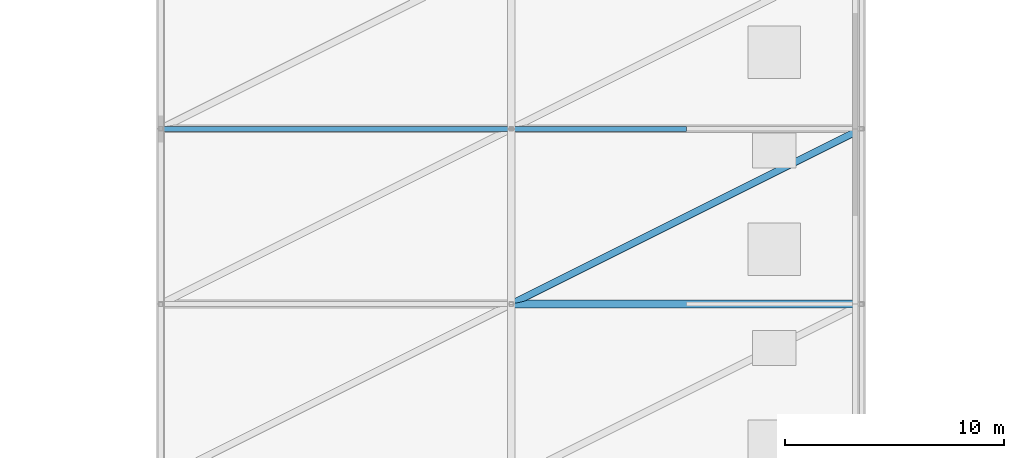
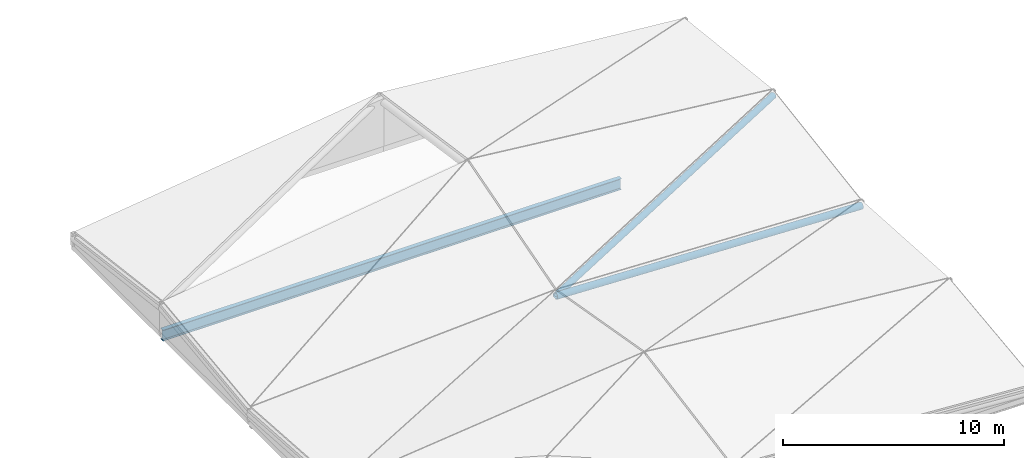
# One storey, part 24 of 44: 2 beams, 1 member.
"""IFC4 building model written with IfcOpenShell, lengths in metres."""

from ifc_helpers import new_model, si_unit, direction, frame, origin, origin_2d, place, context, subcontext, project, spatial, hollow_circle, i_section, extrude, material, material_profile, profile_set, type_object, element, save


model = new_model("IFC4")

# Units and contexts
model_context = context("Model", 3, precision=1e-05, world=origin(), true_north=direction((0.0, 1.0)))
body_context = subcontext(model_context, "Body", "Model", "MODEL_VIEW")
ifc_project = project(units=[si_unit("LENGTHUNIT", "METRE"), si_unit("AREAUNIT", "SQUARE_METRE"), si_unit("VOLUMEUNIT", "CUBIC_METRE"), si_unit("PLANEANGLEUNIT", "RADIAN"), si_unit("MASSUNIT", "GRAM", prefix="KILO")], contexts=[model_context])

# Site, building, storey
site_placement = place(None, origin())
site = spatial("IfcSite", under=ifc_project, at=site_placement, CompositionType="ELEMENT")
building_placement = place(site_placement, origin())
building = spatial("IfcBuilding", under=site, at=building_placement, Name="Tenunan Teduh Sports Hall", CompositionType="ELEMENT")
storey_placement = place(building_placement, frame((0.0, 0.0, 19.199951171875)))
storey = spatial("IfcBuildingStorey", under=building, at=storey_placement, Name="L04", CompositionType="ELEMENT", Elevation=19.199951171875)

# Beam
ifc_material_1 = material(Name="Steel S355", Category="steel")
ifc_material_profile_1 = material_profile(ifc_material_1, hollow_circle(Radius=0.177734375, WallThickness=0.012451171875, at=origin_2d()), Name="CHS 355.6x12.5")
ifc_profile_set_1 = profile_set([ifc_material_profile_1], Name="Steel S355")
beam_type_1 = type_object("IfcBeamType", Name="GSB-CHS356", PredefinedType="BEAM", material=ifc_profile_set_1)
beam_1_placement = place(storey_placement, frame((154.0, 62.0, 0.2900390625), z_axis=(-0.999297387291, 0.0, 0.037479751251), x_axis=(0.0, -1.0, 0.0)))
element("IfcBeam", 1, at=beam_1_placement, inside=storey, type_object=beam_type_1, Name="Gridshell Vault Arch BM-GR-04-L04-0482", PredefinedType="BEAM", context=body_context, shape_type="SweptSolid", body=[
    extrude(hollow_circle(Radius=0.177734375, WallThickness=0.012451171875, at=origin_2d()), origin(), (0.0, 0.0, 1.0), 16.01123046875),
])

# Member
ifc_material_2 = material(Name="Steel S355", Category="steel")
ifc_material_profile_2 = material_profile(ifc_material_2, hollow_circle(Radius=0.161865234375, WallThickness=0.012451171875, at=origin_2d()), Name="CHS 323.9x12.5")
ifc_profile_set_2 = profile_set([ifc_material_profile_2], Name="Steel S355")
member_type = type_object("IfcMemberType", Name="MEM-CH-CHS324", PredefinedType="CHORD", material=ifc_profile_set_2)
member_placement = place(storey_placement, frame((138.0, 62.0, 0.89013671875), z_axis=(0.893837490411, 0.446918745205, 0.036306692497), x_axis=(-0.4472135955, 0.894427191, 0.0)))
element("IfcMember", 2, at=member_placement, inside=storey, type_object=member_type, Name="MEM-GC-02-L04-0852", PredefinedType="CHORD", context=body_context, shape_type="SweptSolid", body=[
    extrude(hollow_circle(Radius=0.161865234375, WallThickness=0.012451171875, at=origin_2d()), origin(), (0.0, 0.0, 1.0), 17.900390625),
])

# Beam
ifc_material_3 = material(Name="Steel S355", Category="steel")
ifc_material_profile_3 = material_profile(ifc_material_3, i_section(OverallWidth=0.22900390625, OverallDepth=0.6123046875, WebThickness=0.011962890625, FlangeThickness=0.01953125, FilletRadius=0.0126953125, at=origin_2d()), Name="UKB 610x229x125")
ifc_profile_set_3 = profile_set([ifc_material_profile_3], Name="Steel S355")
beam_type_2 = type_object("IfcBeamType", Name="SBM-UKB610", PredefinedType="BEAM", material=ifc_profile_set_3)
beam_2_placement = place(storey_placement, frame((122.0, 70.0, -0.5), z_axis=(1.0, 0.0, 0.0), x_axis=(0.0, 1.0, 0.0)))
element("IfcBeam", 3, at=beam_2_placement, inside=storey, type_object=beam_type_2, Name="BM-SB-06-L04-0461", PredefinedType="BEAM", context=body_context, shape_type="SweptSolid", body=[
    extrude(i_section(OverallWidth=0.22900390625, OverallDepth=0.6123046875, WebThickness=0.011962890625, FlangeThickness=0.01953125, FilletRadius=0.0126953125, at=origin_2d()), origin(), (0.0, 0.0, 1.0), 24.0),
])

save(model, "model.ifc")
